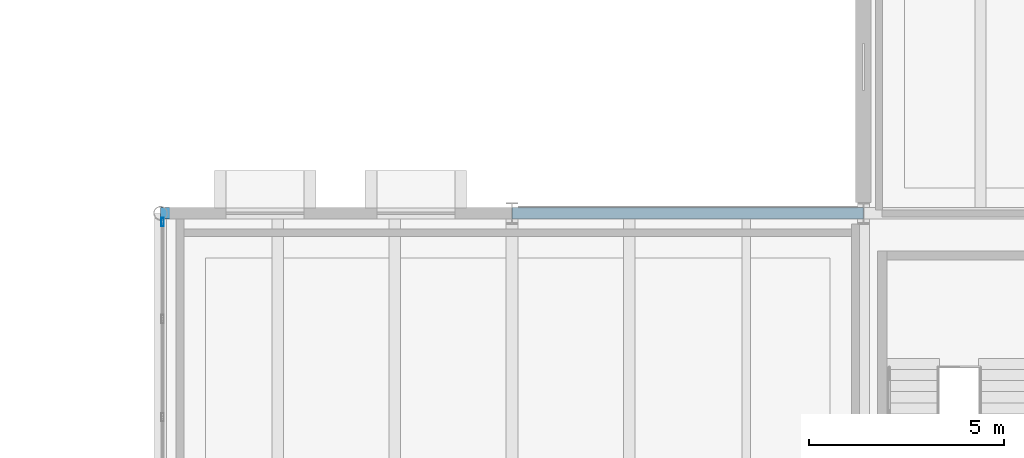
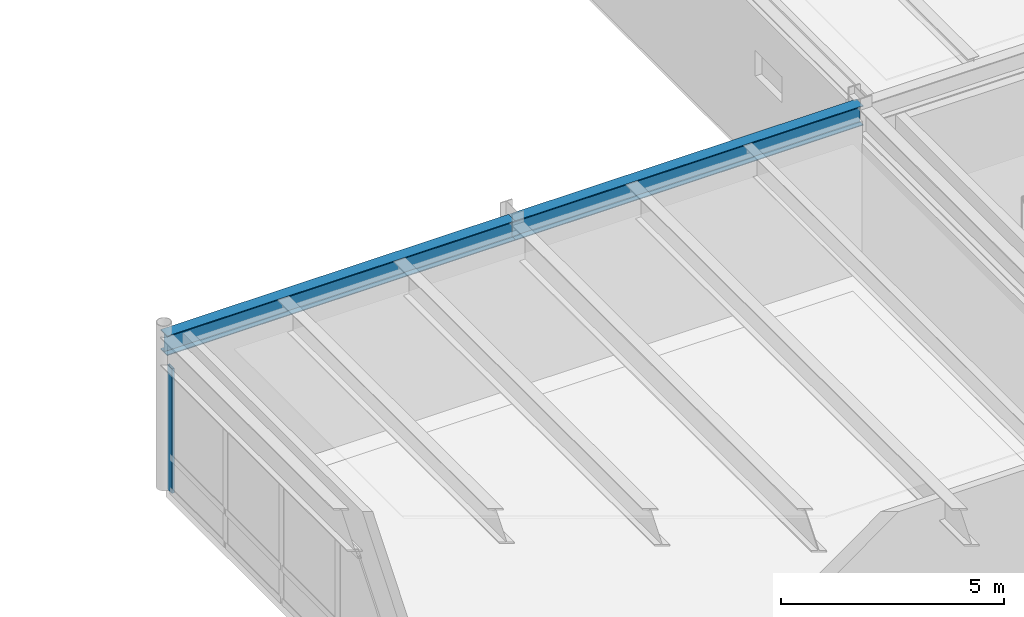
# One storey, part 82 of 127: 2 beams, 1 member, 1 element without a shape of its own.
"""IFC4 building model written with IfcOpenShell, lengths in metres."""

from ifc_helpers import new_model, si_unit, direction, frame, origin, origin_2d, place, context, subcontext, project, spatial, hollow_rectangle, i_section, extrude, material, layer, layer_set, material_profile, profile_set, type_object, element, aggregate, save


model = new_model("IFC4")

# Units and contexts
model_context = context("Model", 3, precision=1e-05, world=origin(), true_north=direction((0.0, 1.0)))
body_context = subcontext(model_context, "Body", "Model", "MODEL_VIEW")
ifc_project = project(units=[si_unit("LENGTHUNIT", "METRE"), si_unit("AREAUNIT", "SQUARE_METRE"), si_unit("VOLUMEUNIT", "CUBIC_METRE"), si_unit("PLANEANGLEUNIT", "RADIAN"), si_unit("MASSUNIT", "GRAM", prefix="KILO")], contexts=[model_context])

# Site, building, storey
site_placement = place(None, origin())
site = spatial("IfcSite", under=ifc_project, at=site_placement, CompositionType="ELEMENT")
building_placement = place(site_placement, origin())
building = spatial("IfcBuilding", under=site, at=building_placement, Name="Montelvaro Courts of Justice", CompositionType="ELEMENT")
storey_placement = place(building_placement, frame((0.0, 0.0, 5.39990234375)))
storey = spatial("IfcBuildingStorey", under=building, at=storey_placement, Name="L01", CompositionType="ELEMENT", Elevation=5.39990234375)

# Beams
ifc_material_1 = material(Name="Steel S355", Category="steel")
ifc_material_profile_1 = material_profile(ifc_material_1, i_section(OverallWidth=0.300048828125, OverallDepth=0.5400390625, WebThickness=0.012451171875, FlangeThickness=0.02392578125, at=origin_2d()), Name="HEA 550")
ifc_profile_set_1 = profile_set([ifc_material_profile_1], Name="Steel S355")
beam_type = type_object("IfcBeamType", Name="Beam_HEA550", PredefinedType="USERDEFINED", material=ifc_profile_set_1)
for number, where, z_axis, x_axis, name in (
    (1, (99.0, 96.0, 3.93017578125), (1.0, 0.0, 0.0), (0.0, 1.0, 0.0), "Beam B-20 L01"),
    (2, (108.0, 96.0, 3.93017578125), (1.0, 0.0, 0.0), (0.0, 1.0, 0.0), "Beam B-20 L01"),
):
    element("IfcBeam", number, at=place(storey_placement, frame(where, z_axis=z_axis, x_axis=x_axis)), inside=storey, type_object=beam_type, Name=name, ObjectType="GIRDER", PredefinedType="USERDEFINED", context=body_context, shape_type="SweptSolid", body=[
        extrude(i_section(OverallWidth=0.300048828125, OverallDepth=0.5400390625, WebThickness=0.012451171875, FlangeThickness=0.02392578125, at=origin_2d()), origin(), (0.0, 0.0, 1.0), 9.0),
    ])

# Curtain wall, member
ifc_material_2 = material(Name="Anodised aluminium EN AW-6063", Category="aluminium")
ifc_layer = layer(ifc_material_2, 0.159912109375)
ifc_layer_set = layer_set([ifc_layer], Name="Anodised aluminium EN AW-6063")
curtain_wall_type = type_object("IfcCurtainWallType", Name="CurtainWall_22_1761x418", PredefinedType="USERDEFINED", material=ifc_layer_set)
curtain_wall_placement = place(storey_placement, origin())
curtain_wall = element("IfcCurtainWall", 3, at=curtain_wall_placement, inside=storey, type_object=curtain_wall_type, Name="Curtain Wall CW-22 (L01)", ObjectType="CURTAIN WALL", PredefinedType="USERDEFINED")
ifc_material_profile_2 = material_profile(ifc_material_2, hollow_rectangle(XDim=0.06494140625, YDim=0.2099609375, WallThickness=0.0048828125, at=origin_2d()), Name="ALU-M 65x210")
ifc_profile_set_2 = profile_set([ifc_material_profile_2], Name="Anodised aluminium EN AW-6063")
member_type = type_object("IfcMemberType", Name="CurtainWall_Mullion_65x210", PredefinedType="MULLION", material=ifc_profile_set_2)
member_placement = place(storey_placement, frame((99.050048828125, 95.774658203125, 0.0), z_axis=(0.0, 0.0, 1.0), x_axis=(1.0, 0.0, 0.0)))
member = element("IfcMember", 4, at=member_placement, type_object=member_type, Name="CW-22 mullion 1", PredefinedType="MULLION", context=body_context, shape_type="SweptSolid", body=[
    extrude(hollow_rectangle(XDim=0.06494140625, YDim=0.2099609375, WallThickness=0.0048828125, at=origin_2d()), origin(), (0.0, 0.0, 1.0), 3.405029296875),
])
aggregate(curtain_wall, [member])

save(model, "model.ifc")
